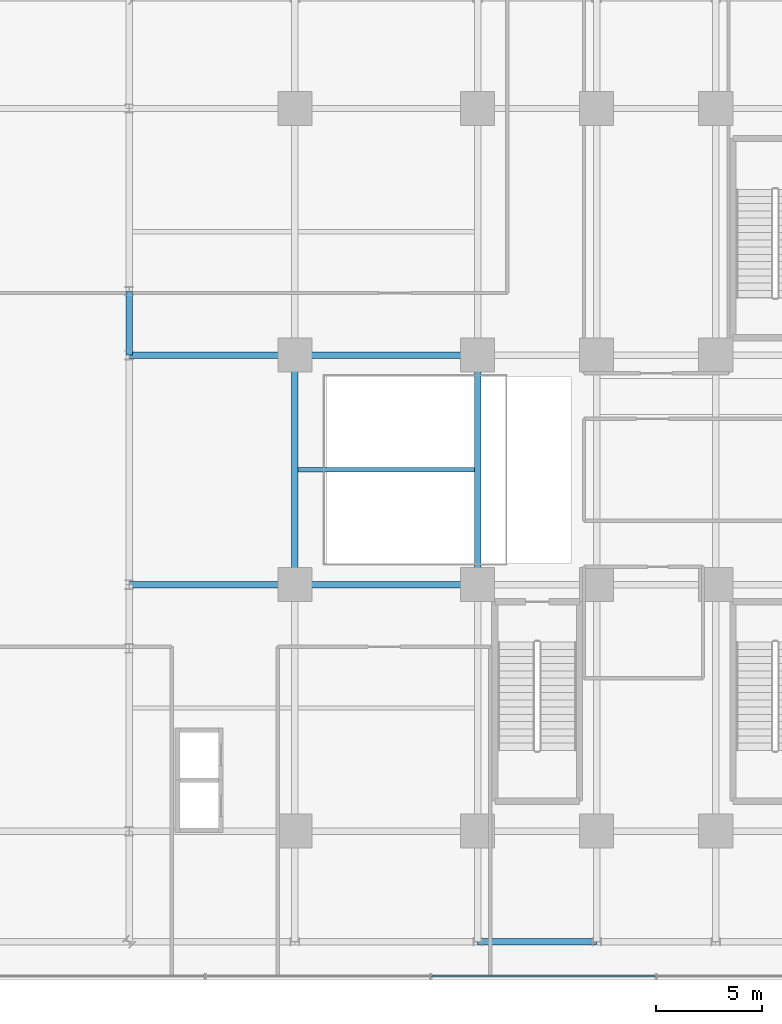
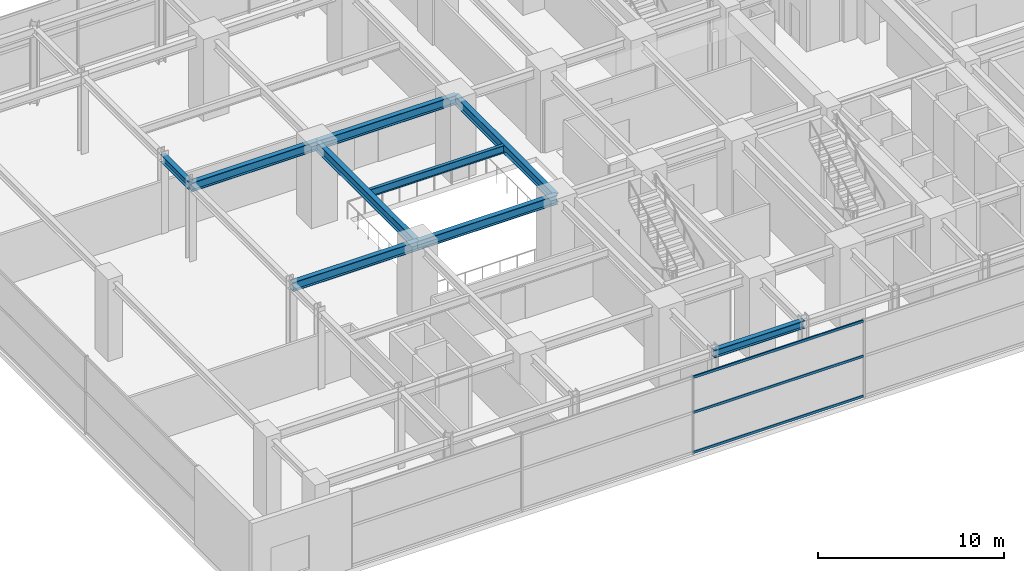
# One storey, part 9 of 32: 9 beams, 3 members, 1 element without a shape of its own.
"""IFC4 building model written with IfcOpenShell, lengths in metres."""

from ifc_helpers import new_model, si_unit, direction, frame, origin, origin_2d, place, context, subcontext, project, spatial, hollow_rectangle, i_section, extrude, source, transform, mapped, material, material_profile, profile_set, type_object, element, aggregate, save


model = new_model("IFC4")

# Units and contexts
model_context = context("Model", 3, precision=1e-05, world=origin(), true_north=direction((0.0, 1.0)))
body_context = subcontext(model_context, "Body", "Model", "MODEL_VIEW")
ifc_project = project(units=[si_unit("LENGTHUNIT", "METRE"), si_unit("AREAUNIT", "SQUARE_METRE"), si_unit("VOLUMEUNIT", "CUBIC_METRE"), si_unit("PLANEANGLEUNIT", "RADIAN"), si_unit("MASSUNIT", "GRAM", prefix="KILO")], contexts=[model_context])

# Site, building, storey
site_placement = place(None, origin())
site = spatial("IfcSite", under=ifc_project, at=site_placement, CompositionType="ELEMENT")
building_placement = place(site_placement, origin())
building = spatial("IfcBuilding", under=site, at=building_placement, Name="Nahalor Promenade Grand Hotel", CompositionType="ELEMENT")
storey_placement = place(building_placement, frame((0.0, 0.0, 5.39990234375)))
storey = spatial("IfcBuildingStorey", under=building, at=storey_placement, Name="L01", CompositionType="ELEMENT", Elevation=5.39990234375)

# Beams
ifc_material_1 = material(Name="Steel S355JR", Category="steel")
ifc_material_profile_1 = material_profile(ifc_material_1, i_section(OverallWidth=0.3, OverallDepth=0.6, WebThickness=0.0155, FlangeThickness=0.03, at=origin_2d()), Name="HEB 600")
ifc_profile_set_1 = profile_set([ifc_material_profile_1], Name="Steel S355JR")
beam_type_1 = type_object("IfcBeamType", Name="Beam-Girder-HEB600", PredefinedType="BEAM", material=ifc_profile_set_1)
shared_shape_1 = source(origin(), body_context, "Body", "SweptSolid", [
    extrude(i_section(OverallWidth=0.3, OverallDepth=0.6, WebThickness=0.0155, FlangeThickness=0.03, at=origin_2d()), origin(), (0.0, 0.0, 1.0), 7.800048828125),
])
for number, where, z_axis, x_axis, name in (
    (1, (-24.800048828125, -5.39990234375, 4.780029296875), (1.0, 0.0, 0.0), (0.0, 1.0, 0.0), "BM-L01-GX-1-0"),
    (2, (-24.800048828125, 5.39990234375, 4.780029296875), (1.0, 0.0, 0.0), (0.0, 1.0, 0.0), "BM-L01-GX-2-0"),
):
    element("IfcBeam", number, at=place(storey_placement, frame(where, z_axis=z_axis, x_axis=x_axis)), inside=storey, type_object=beam_type_1, Name=name, PredefinedType="BEAM", context=body_context, shape_type="MappedRepresentation", body=[
        mapped(shared_shape_1, transform((0.0, 0.0, 0.0), scale=1.0)),
    ])
shared_shape_2 = source(origin(), body_context, "Body", "SweptSolid", [
    extrude(i_section(OverallWidth=0.3, OverallDepth=0.6, WebThickness=0.0155, FlangeThickness=0.03, at=origin_2d()), origin(), (0.0, 0.0, 1.0), 8.60009765625),
])
for number, where, z_axis, x_axis, name in (
    (3, (-17.0, -5.39990234375, 4.780029296875), (1.0, 0.0, 0.0), (0.0, 1.0, 0.0), "BM-L01-GX-1-1"),
    (4, (-17.0, 5.39990234375, 4.780029296875), (1.0, 0.0, 0.0), (0.0, 1.0, 0.0), "BM-L01-GX-2-1"),
):
    element("IfcBeam", number, at=place(storey_placement, frame(where, z_axis=z_axis, x_axis=x_axis)), inside=storey, type_object=beam_type_1, Name=name, PredefinedType="BEAM", context=body_context, shape_type="MappedRepresentation", body=[
        mapped(shared_shape_2, transform((0.0, 0.0, 0.0), scale=1.0)),
    ])
shared_shape_3 = source(origin(), body_context, "Body", "SweptSolid", [
    extrude(i_section(OverallWidth=0.3, OverallDepth=0.6, WebThickness=0.0155, FlangeThickness=0.03, at=origin_2d()), origin(), (0.0, 0.0, 1.0), 10.7998046875),
])
for number, where, z_axis, x_axis, name in (
    (5, (-17.0, -5.39990234375, 4.780029296875), (0.0, 1.0, 0.0), (-1.0, 0.0, 0.0), "BM-L01-GY-0-2"),
    (6, (-8.39990234375, -5.39990234375, 4.780029296875), (0.0, 1.0, 0.0), (-1.0, 0.0, 0.0), "BM-L01-GY-1-2"),
):
    element("IfcBeam", number, at=place(storey_placement, frame(where, z_axis=z_axis, x_axis=x_axis)), inside=storey, type_object=beam_type_1, Name=name, PredefinedType="BEAM", context=body_context, shape_type="MappedRepresentation", body=[
        mapped(shared_shape_3, transform((0.0, 0.0, 0.0), scale=1.0)),
    ])
ifc_material_profile_2 = material_profile(ifc_material_1, i_section(OverallWidth=0.3, OverallDepth=0.5, WebThickness=0.0145, FlangeThickness=0.028, at=origin_2d()), Name="HEB 500")
ifc_profile_set_2 = profile_set([ifc_material_profile_2], Name="Steel S355JR")
beam_type_2 = type_object("IfcBeamType", Name="Beam-Spandrel-HEB500", PredefinedType="SPANDREL", material=ifc_profile_set_2)
shared_shape_4 = source(origin(), body_context, "Body", "SweptSolid", [
    extrude(i_section(OverallWidth=0.3, OverallDepth=0.5, WebThickness=0.0145, FlangeThickness=0.028, at=origin_2d()), origin(), (0.0, 0.0, 1.0), 5.599853515625),
])
beam_1_placement = place(storey_placement, frame((-8.39990234375, -22.199951171875, 4.830078125), z_axis=(1.0, 0.0, 0.0), x_axis=(0.0, 1.0, 0.0)))
element("IfcBeam", 7, at=beam_1_placement, inside=storey, type_object=beam_type_2, Name="BM-L01-SP-S-1", PredefinedType="SPANDREL", context=body_context, shape_type="MappedRepresentation", body=[
    mapped(shared_shape_4, transform((0.0, 0.0, 0.0), scale=1.0)),
])
shared_shape_5 = source(origin(), body_context, "Body", "SweptSolid", [
    extrude(i_section(OverallWidth=0.3, OverallDepth=0.5, WebThickness=0.0145, FlangeThickness=0.028, at=origin_2d()), origin(), (0.0, 0.0, 1.0), 3.0),
])
beam_2_placement = place(storey_placement, frame((-24.800048828125, 5.39990234375, 4.830078125), z_axis=(0.0, 1.0, 0.0), x_axis=(-1.0, 0.0, 0.0)))
element("IfcBeam", 8, at=beam_2_placement, inside=storey, type_object=beam_type_2, Name="BM-L01-SP-W-3", PredefinedType="SPANDREL", context=body_context, shape_type="MappedRepresentation", body=[
    mapped(shared_shape_5, transform((0.0, 0.0, 0.0), scale=1.0)),
])
ifc_material_profile_3 = material_profile(ifc_material_1, i_section(OverallWidth=0.2, OverallDepth=0.5, WebThickness=0.0102, FlangeThickness=0.016, at=origin_2d()), Name="IPE 500")
ifc_profile_set_3 = profile_set([ifc_material_profile_3], Name="Steel S355JR")
beam_type_3 = type_object("IfcBeamType", Name="Beam-Joist-IPE500", PredefinedType="JOIST", material=ifc_profile_set_3)
shared_shape_6 = source(origin(), body_context, "Body", "SweptSolid", [
    extrude(i_section(OverallWidth=0.2, OverallDepth=0.5, WebThickness=0.0102, FlangeThickness=0.016, at=origin_2d()), origin(), (0.0, 0.0, 1.0), 8.300048828125),
])
beam_3_placement = place(storey_placement, frame((-16.85009765625, 0.0, 4.830078125), z_axis=(1.0, 0.0, 0.0), x_axis=(0.0, 1.0, 0.0)))
element("IfcBeam", 9, at=beam_3_placement, inside=storey, type_object=beam_type_3, Name="BM-L01-JSC-0", PredefinedType="JOIST", context=body_context, shape_type="MappedRepresentation", body=[
    mapped(shared_shape_6, transform((0.0, 0.0, 0.0), scale=1.0)),
])

# Curtain wall, members
ifc_material_2 = material(Name="Anodised Bronze Aluminium EN AW-6063 T6", Category="aluminium")
curtain_wall_type = type_object("IfcCurtainWallType", Name="CW1 Waterfront Podium Bronze Arcade Curtain Wall", PredefinedType="USERDEFINED", material=ifc_material_2)
curtain_wall_placement = place(storey_placement, origin())
curtain_wall = element("IfcCurtainWall", 10, at=curtain_wall_placement, inside=storey, type_object=curtain_wall_type, Name="L01 Curtain Wall CW-L01-S", ObjectType="UNITISED_CURTAIN_WALL", PredefinedType="USERDEFINED")
ifc_material_profile_4 = material_profile(ifc_material_2, hollow_rectangle(XDim=0.08, YDim=0.16, WallThickness=0.004, at=origin_2d()), Name="CWT 80x160x4")
ifc_profile_set_4 = profile_set([ifc_material_profile_4], Name="Anodised Bronze Aluminium EN AW-6063 T6")
member_type = type_object("IfcMemberType", Name="CWT1 Podium Bronze Transom 80x160", PredefinedType="USERDEFINED", material=ifc_profile_set_4)
shared_shape_7 = source(origin(), body_context, "Body", "SweptSolid", [
    extrude(hollow_rectangle(XDim=0.08, YDim=0.16, WallThickness=0.004, at=origin_2d()), origin(), (0.0, 0.0, 1.0), 10.526611328125),
])
member_1_placement = place(storey_placement, frame((-10.566650390625, -23.820068359375, 0.080078125), z_axis=(1.0, 0.0, 0.0), x_axis=(0.0, 1.0, 0.0)))
member_1 = element("IfcMember", 11, at=member_1_placement, type_object=member_type, Name="CW-L01-S Transom 2-0", ObjectType="TRANSOM", PredefinedType="USERDEFINED", context=body_context, shape_type="MappedRepresentation", body=[
    mapped(shared_shape_7, transform((0.0, 0.0, 0.0), scale=1.0)),
])
member_2_placement = place(storey_placement, frame((-10.566650390625, -23.820068359375, 2.7001953125), z_axis=(1.0, 0.0, 0.0), x_axis=(0.0, 1.0, 0.0)))
member_2 = element("IfcMember", 12, at=member_2_placement, type_object=member_type, Name="CW-L01-S Transom 2-1", ObjectType="TRANSOM", PredefinedType="USERDEFINED", context=body_context, shape_type="MappedRepresentation", body=[
    mapped(shared_shape_7, transform((0.0, 0.0, 0.0), scale=1.0)),
])
member_3_placement = place(storey_placement, frame((-10.566650390625, -23.820068359375, 5.0), z_axis=(1.0, 0.0, 0.0), x_axis=(0.0, 1.0, 0.0)))
member_3 = element("IfcMember", 13, at=member_3_placement, type_object=member_type, Name="CW-L01-S Transom 2-2", ObjectType="TRANSOM", PredefinedType="USERDEFINED", context=body_context, shape_type="MappedRepresentation", body=[
    mapped(shared_shape_7, transform((0.0, 0.0, 0.0), scale=1.0)),
])
aggregate(curtain_wall, [member_1, member_2, member_3])

save(model, "model.ifc")
